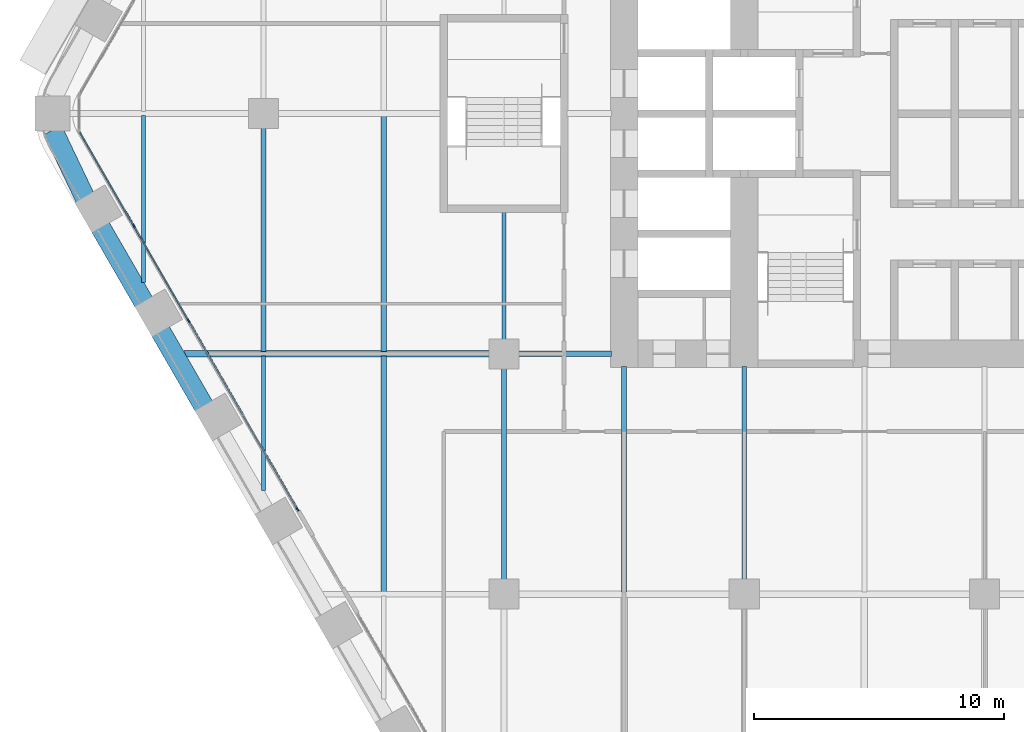
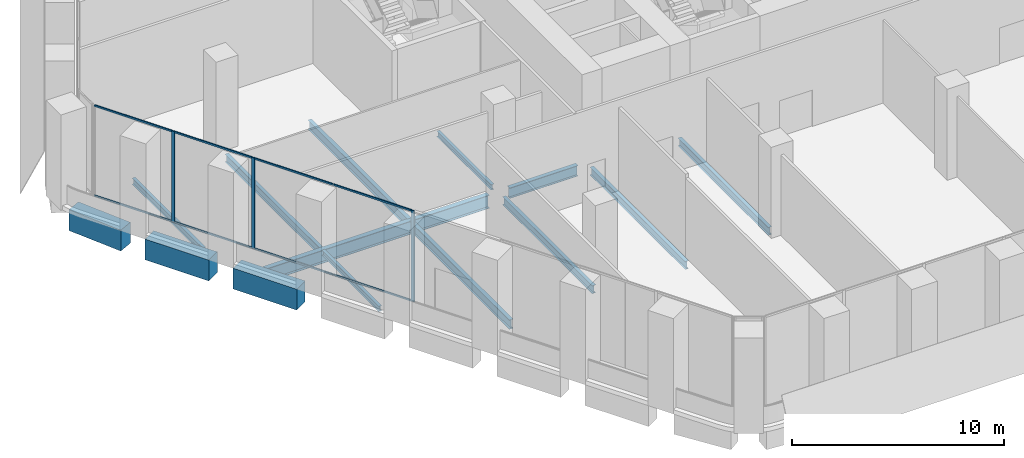
# One storey, part 3 of 27: 14 beams, 11 members, 1 element without a shape of its own.
"""IFC4 building model written with IfcOpenShell, lengths in metres."""

from ifc_helpers import new_model, si_unit, direction, frame, origin, origin_2d, place, context, subcontext, project, spatial, rectangle, i_section, extrude, material, material_profile, profile_set, type_object, element, aggregate, save


model = new_model("IFC4")

# Units and contexts
model_context = context("Model", 3, precision=1e-05, world=origin(), true_north=direction((0.0, 1.0)))
body_context = subcontext(model_context, "Body", "Model", "MODEL_VIEW")
ifc_project = project(units=[si_unit("LENGTHUNIT", "METRE"), si_unit("AREAUNIT", "SQUARE_METRE"), si_unit("VOLUMEUNIT", "CUBIC_METRE"), si_unit("PLANEANGLEUNIT", "RADIAN"), si_unit("MASSUNIT", "GRAM", prefix="KILO")], contexts=[model_context])

# Site, building, storey
site_placement = place(None, origin())
site = spatial("IfcSite", under=ifc_project, at=site_placement, CompositionType="ELEMENT")
building_placement = place(site_placement, origin())
building = spatial("IfcBuilding", under=site, at=building_placement, Name="Kolab Exchange Tower", CompositionType="ELEMENT")
storey_placement = place(building_placement, frame((0.0, 0.0, 22.39990234375)))
storey = spatial("IfcBuildingStorey", under=building, at=storey_placement, Name="L04", CompositionType="ELEMENT", Elevation=22.39990234375)

# Beams
ifc_material_1 = material(Name="Steel S355", Category="steel")
ifc_material_profile_1 = material_profile(ifc_material_1, i_section(OverallWidth=0.1650390625, OverallDepth=0.31005859375, WebThickness=0.005859375, FlangeThickness=0.009765625, at=origin_2d()), Name="W310X39")
ifc_profile_set_1 = profile_set([ifc_material_profile_1], Name="Steel S355")
beam_type_1 = type_object("IfcBeamType", Name="FLOOR BEAM W310X39", PredefinedType="BEAM", material=ifc_profile_set_1)
beam_1_placement = place(storey_placement, frame((-28.800048828125, -15.067626953125, -0.40478515625), z_axis=(0.0, 1.0, 0.0), x_axis=(-1.0, 0.0, 0.0)))
element("IfcBeam", 1, at=beam_1_placement, inside=storey, type_object=beam_type_1, Name="beam/L04/fr/002", PredefinedType="BEAM", context=body_context, shape_type="SweptSolid", body=[
    extrude(i_section(OverallWidth=0.1650390625, OverallDepth=0.31005859375, WebThickness=0.005859375, FlangeThickness=0.009765625, at=origin_2d()), origin(), (0.0, 0.0, 1.0), 5.3740234375),
])
beam_2_placement = place(storey_placement, frame((-19.199951171875, -9.0400390625, -0.40478515625), z_axis=(0.0, 1.0, 0.0), x_axis=(-1.0, 0.0, 0.0)))
element("IfcBeam", 2, at=beam_2_placement, inside=storey, type_object=beam_type_1, Name="beam/L04/fr/014", PredefinedType="BEAM", context=body_context, shape_type="SweptSolid", body=[
    extrude(i_section(OverallWidth=0.1650390625, OverallDepth=0.31005859375, WebThickness=0.005859375, FlangeThickness=0.009765625, at=origin_2d()), origin(), (0.0, 0.0, 1.0), 5.130126953125),
])
ifc_material_profile_2 = material_profile(ifc_material_1, i_section(OverallWidth=0.1708984375, OverallDepth=0.35498046875, WebThickness=0.007080078125, FlangeThickness=0.01171875, at=origin_2d()), Name="W360X51")
ifc_profile_set_2 = profile_set([ifc_material_profile_2], Name="Steel S355")
beam_type_2 = type_object("IfcBeamType", Name="FLOOR BEAM W360X51", PredefinedType="BEAM", material=ifc_profile_set_2)
beam_3_placement = place(storey_placement, frame((-33.60009765625, -6.75390625, -0.427490234375), z_axis=(0.0, 1.0, 0.0), x_axis=(-1.0, 0.0, 0.0)))
element("IfcBeam", 3, at=beam_3_placement, inside=storey, type_object=beam_type_2, Name="beam/L04/fr/000", PredefinedType="BEAM", context=body_context, shape_type="SweptSolid", body=[
    extrude(i_section(OverallWidth=0.1708984375, OverallDepth=0.35498046875, WebThickness=0.007080078125, FlangeThickness=0.01171875, at=origin_2d()), origin(), (0.0, 0.0, 1.0), 6.679931640625),
])
ifc_material_profile_3 = material_profile(ifc_material_1, i_section(OverallWidth=0.18994140625, OverallDepth=0.45703125, WebThickness=0.009033203125, FlangeThickness=0.014404296875, at=origin_2d()), Name="W460X74")
ifc_profile_set_3 = profile_set([ifc_material_profile_3], Name="Steel S355")
beam_type_3 = type_object("IfcBeamType", Name="FLOOR BEAM W460X74", PredefinedType="BEAM", material=ifc_profile_set_3)
beam_4_placement = place(storey_placement, frame((-28.800048828125, -9.506591796875, -0.478515625), z_axis=(0.0, 1.0, 0.0), x_axis=(-1.0, 0.0, 0.0)))
element("IfcBeam", 4, at=beam_4_placement, inside=storey, type_object=beam_type_3, Name="beam/L04/fr/003", PredefinedType="BEAM", context=body_context, shape_type="SweptSolid", body=[
    extrude(i_section(OverallWidth=0.18994140625, OverallDepth=0.45703125, WebThickness=0.009033203125, FlangeThickness=0.014404296875, at=origin_2d()), origin(), (0.0, 0.0, 1.0), 8.946533203125),
])
beam_5_placement = place(storey_placement, frame((-19.199951171875, -18.639892578125, -0.478515625), z_axis=(0.0, 1.0, 0.0), x_axis=(-1.0, 0.0, 0.0)))
element("IfcBeam", 5, at=beam_5_placement, inside=storey, type_object=beam_type_3, Name="beam/L04/fr/013", PredefinedType="BEAM", context=body_context, shape_type="SweptSolid", body=[
    extrude(i_section(OverallWidth=0.18994140625, OverallDepth=0.45703125, WebThickness=0.009033203125, FlangeThickness=0.014404296875, at=origin_2d()), origin(), (0.0, 0.0, 1.0), 8.47998046875),
])
beam_6_placement = place(storey_placement, frame((-14.39990234375, -19.113037109375, -0.478515625), z_axis=(0.0, 1.0, 0.0), x_axis=(-1.0, 0.0, 0.0)))
element("IfcBeam", 6, at=beam_6_placement, inside=storey, type_object=beam_type_3, Name="beam/L04/fr/019", PredefinedType="BEAM", context=body_context, shape_type="SweptSolid", body=[
    extrude(i_section(OverallWidth=0.18994140625, OverallDepth=0.45703125, WebThickness=0.009033203125, FlangeThickness=0.014404296875, at=origin_2d()), origin(), (0.0, 0.0, 1.0), 9.0029296875),
])
beam_7_placement = place(storey_placement, frame((-9.60009765625, -18.639892578125, -0.478515625), z_axis=(0.0, 1.0, 0.0), x_axis=(-1.0, 0.0, 0.0)))
element("IfcBeam", 7, at=beam_7_placement, inside=storey, type_object=beam_type_3, Name="beam/L04/fr/023", PredefinedType="BEAM", context=body_context, shape_type="SweptSolid", body=[
    extrude(i_section(OverallWidth=0.18994140625, OverallDepth=0.45703125, WebThickness=0.009033203125, FlangeThickness=0.014404296875, at=origin_2d()), origin(), (0.0, 0.0, 1.0), 8.52978515625),
])
ifc_material_profile_4 = material_profile(ifc_material_1, i_section(OverallWidth=0.208984375, OverallDepth=0.532958984375, WebThickness=0.01025390625, FlangeThickness=0.015625, at=origin_2d()), Name="W530X92")
ifc_profile_set_4 = profile_set([ifc_material_profile_4], Name="Steel S355")
beam_type_4 = type_object("IfcBeamType", Name="FLOOR BEAM W530X92", PredefinedType="BEAM", material=ifc_profile_set_4)
beam_8_placement = place(storey_placement, frame((-24.0, -19.1259765625, -0.516357421875), z_axis=(0.0, 1.0, 0.0), x_axis=(-1.0, 0.0, 0.0)))
element("IfcBeam", 8, at=beam_8_placement, inside=storey, type_object=beam_type_4, Name="beam/L04/fr/007", PredefinedType="BEAM", context=body_context, shape_type="SweptSolid", body=[
    extrude(i_section(OverallWidth=0.208984375, OverallDepth=0.532958984375, WebThickness=0.01025390625, FlangeThickness=0.015625, at=origin_2d()), origin(), (0.0, 0.0, 1.0), 9.432373046875),
])
beam_9_placement = place(storey_placement, frame((-24.0, -9.506591796875, -0.516357421875), z_axis=(0.0, 1.0, 0.0), x_axis=(-1.0, 0.0, 0.0)))
element("IfcBeam", 9, at=beam_9_placement, inside=storey, type_object=beam_type_4, Name="beam/L04/fr/008", PredefinedType="BEAM", context=body_context, shape_type="SweptSolid", body=[
    extrude(i_section(OverallWidth=0.208984375, OverallDepth=0.532958984375, WebThickness=0.01025390625, FlangeThickness=0.015625, at=origin_2d()), origin(), (0.0, 0.0, 1.0), 9.4326171875),
])
ifc_material_profile_5 = material_profile(ifc_material_1, i_section(OverallWidth=0.22802734375, OverallDepth=0.60791015625, WebThickness=0.01123046875, FlangeThickness=0.017333984375, at=origin_2d()), Name="W610X113")
ifc_profile_set_5 = profile_set([ifc_material_profile_5], Name="Steel S355")
beam_type_5 = type_object("IfcBeamType", Name="FLOOR GIRDER W610X113", PredefinedType="BEAM", material=ifc_profile_set_5)
beam_10_placement = place(storey_placement, frame((-18.639892578125, -9.60009765625, -0.553955078125), z_axis=(1.0, 0.0, 0.0), x_axis=(0.0, 1.0, 0.0)))
element("IfcBeam", 10, at=beam_10_placement, inside=storey, type_object=beam_type_5, Name="beam/L04/gd/007", PredefinedType="BEAM", context=body_context, shape_type="SweptSolid", body=[
    extrude(i_section(OverallWidth=0.22802734375, OverallDepth=0.60791015625, WebThickness=0.01123046875, FlangeThickness=0.017333984375, at=origin_2d()), origin(), (0.0, 0.0, 1.0), 3.72998046875),
])
ifc_material_profile_6 = material_profile(ifc_material_1, i_section(OverallWidth=0.26708984375, OverallDepth=0.761962890625, WebThickness=0.014404296875, FlangeThickness=0.021484375, at=origin_2d()), Name="W760X173")
ifc_profile_set_6 = profile_set([ifc_material_profile_6], Name="Steel S355")
beam_type_6 = type_object("IfcBeamType", Name="FLOOR GIRDER W760X173", PredefinedType="BEAM", material=ifc_profile_set_6)
beam_11_placement = place(storey_placement, frame((-31.9736328125, -9.60009765625, -0.630859375), z_axis=(1.0, 0.0, 0.0), x_axis=(0.0, 1.0, 0.0)))
element("IfcBeam", 11, at=beam_11_placement, inside=storey, type_object=beam_type_6, Name="beam/L04/gd/001", PredefinedType="BEAM", context=body_context, shape_type="SweptSolid", body=[
    extrude(i_section(OverallWidth=0.26708984375, OverallDepth=0.761962890625, WebThickness=0.014404296875, FlangeThickness=0.021484375, at=origin_2d()), origin(), (0.0, 0.0, 1.0), 12.213623046875),
])
ifc_material_2 = material(Name="Concrete C80/95", Category="concrete")
ifc_material_profile_7 = material_profile(ifc_material_2, rectangle(XDim=0.800048828125, YDim=1.199951171875, at=origin_2d()), Name="RC800X1200")
ifc_profile_set_7 = profile_set([ifc_material_profile_7], Name="Concrete C80/95")
beam_type_7 = type_object("IfcBeamType", Name="SPANDREL BEAM 800X1200 C80/95", PredefinedType="BEAM", material=ifc_profile_set_7)
beam_12_placement = place(storey_placement, frame((-31.18359375, -11.69921875, -0.849853515625), z_axis=(-0.499979528911, 0.866037222451, 0.0), x_axis=(-0.866037222451, -0.499979528911, 0.0)))
element("IfcBeam", 12, at=beam_12_placement, inside=storey, type_object=beam_type_7, Name="beam/L04/sp/F5-06", PredefinedType="BEAM", context=body_context, shape_type="SweptSolid", body=[
    extrude(rectangle(XDim=0.800048828125, YDim=1.199951171875, at=origin_2d()), origin(), (0.0, 0.0, 1.0), 3.480224609375),
])
beam_13_placement = place(storey_placement, frame((-33.58349609375, -7.542236328125, -0.849853515625), z_axis=(-0.500009906705, 0.86601968407, 0.0), x_axis=(-0.86601968407, -0.500009906705, 0.0)))
element("IfcBeam", 13, at=beam_13_placement, inside=storey, type_object=beam_type_7, Name="beam/L04/sp/F5-07", PredefinedType="BEAM", context=body_context, shape_type="SweptSolid", body=[
    extrude(rectangle(XDim=0.800048828125, YDim=1.199951171875, at=origin_2d()), origin(), (0.0, 0.0, 1.0), 3.47998046875),
])
beam_14_placement = place(storey_placement, frame((-35.93798828125, -3.35888671875, -0.849853515625), z_axis=(-0.429555669245, 0.903040379507, 0.0), x_axis=(-0.903040379507, -0.429555669245, 0.0)))
element("IfcBeam", 14, at=beam_14_placement, inside=storey, type_object=beam_type_7, Name="beam/L04/sp/F5-08", PredefinedType="BEAM", context=body_context, shape_type="SweptSolid", body=[
    extrude(rectangle(XDim=0.800048828125, YDim=1.199951171875, at=origin_2d()), origin(), (0.0, 0.0, 1.0), 2.984375),
])

# Curtain wall, members
ifc_material_3 = material(Name="Aluminium EN AW-6063 T6", Category="aluminium")
curtain_wall_type = type_object("IfcCurtainWallType", Name="UNITISED LOW ZONE CURTAIN WALL", PredefinedType="NOTDEFINED", material=ifc_material_3)
curtain_wall_placement = place(storey_placement, origin())
curtain_wall = element("IfcCurtainWall", 15, at=curtain_wall_placement, inside=storey, type_object=curtain_wall_type, Name="cw/L04/F5-2", PredefinedType="NOTDEFINED")
ifc_material_profile_8 = material_profile(ifc_material_3, rectangle(XDim=0.06005859375, YDim=0.159912109375, at=origin_2d()), Name="RECT 60X160")
ifc_profile_set_8 = profile_set([ifc_material_profile_8], Name="Aluminium EN AW-6063 T6")
member_type_1 = type_object("IfcMemberType", Name="UNITISED LOW ZONE MULLION 60 X 160", PredefinedType="MULLION", material=ifc_profile_set_8)
member_1_placement = place(storey_placement, frame((-27.44677734375, -15.811767578125, 0.0), z_axis=(0.0, 0.0, 1.0), x_axis=(-0.866025422102, -0.499999968274, 0.0)))
member_1 = element("IfcMember", 16, at=member_1_placement, type_object=member_type_1, Name="CW1 mullion 1", PredefinedType="MULLION", context=body_context, shape_type="SweptSolid", body=[
    extrude(rectangle(XDim=0.06005859375, YDim=0.159912109375, at=origin_2d()), origin(), (0.0, 0.0, 1.0), 5.25),
])
member_2_placement = place(storey_placement, frame((-31.798583984375, -8.27392578125, 0.0), z_axis=(0.0, 0.0, 1.0), x_axis=(-0.866025422102, -0.499999968274, 0.0)))
member_2 = element("IfcMember", 17, at=member_2_placement, type_object=member_type_1, Name="CW1 mullion 3", PredefinedType="MULLION", context=body_context, shape_type="SweptSolid", body=[
    extrude(rectangle(XDim=0.06005859375, YDim=0.159912109375, at=origin_2d()), origin(), (0.0, 0.0, 1.0), 5.25),
])
member_3_placement = place(storey_placement, frame((-33.982177734375, -4.491943359375, 0.0), z_axis=(0.0, 0.0, 1.0), x_axis=(-0.866025422102, -0.499999968274, 0.0)))
member_3 = element("IfcMember", 18, at=member_3_placement, type_object=member_type_1, Name="CW1 mullion 4", PredefinedType="MULLION", context=body_context, shape_type="SweptSolid", body=[
    extrude(rectangle(XDim=0.06005859375, YDim=0.159912109375, at=origin_2d()), origin(), (0.0, 0.0, 1.0), 5.25),
])
ifc_material_profile_9 = material_profile(ifc_material_3, rectangle(XDim=0.06005859375, YDim=0.10009765625, at=origin_2d()), Name="RECT 60X100")
ifc_profile_set_9 = profile_set([ifc_material_profile_9], Name="Aluminium EN AW-6063 T6")
member_type_2 = type_object("IfcMemberType", Name="UNITISED LOW ZONE TRANSOM 60 X 100", PredefinedType="USERDEFINED", material=ifc_profile_set_9)
member_4_placement = place(storey_placement, frame((-27.461669921875, -15.78564453125, 0.030029296875), z_axis=(-0.500000816281, 0.866024932504, 0.0), x_axis=(-0.866024932504, -0.500000816281, 0.0)))
member_4 = element("IfcMember", 19, at=member_4_placement, type_object=member_type_2, Name="CW1 transom 1.1", ObjectType="TRANSOM", PredefinedType="USERDEFINED", context=body_context, shape_type="SweptSolid", body=[
    extrude(rectangle(XDim=0.06005859375, YDim=0.10009765625, at=origin_2d()), origin(), (0.0, 0.0, 1.0), 4.27685546875),
])
member_5_placement = place(storey_placement, frame((-27.461669921875, -15.78564453125, 5.22021484375), z_axis=(-0.500000816281, 0.866024932504, 0.0), x_axis=(-0.866024932504, -0.500000816281, 0.0)))
member_5 = element("IfcMember", 20, at=member_5_placement, type_object=member_type_2, Name="CW1 transom 1.2", ObjectType="TRANSOM", PredefinedType="USERDEFINED", context=body_context, shape_type="SweptSolid", body=[
    extrude(rectangle(XDim=0.06005859375, YDim=0.10009765625, at=origin_2d()), origin(), (0.0, 0.0, 1.0), 4.27685546875),
])
member_6_placement = place(storey_placement, frame((-29.630126953125, -12.02978515625, 0.030029296875), z_axis=(-0.500010313095, 0.866019449435, 0.0), x_axis=(-0.866019449435, -0.500010313095, 0.0)))
member_6 = element("IfcMember", 21, at=member_6_placement, type_object=member_type_2, Name="CW1 transom 2.1", ObjectType="TRANSOM", PredefinedType="USERDEFINED", context=body_context, shape_type="SweptSolid", body=[
    extrude(rectangle(XDim=0.06005859375, YDim=0.10009765625, at=origin_2d()), origin(), (0.0, 0.0, 1.0), 4.30712890625),
])
member_7_placement = place(storey_placement, frame((-29.630126953125, -12.02978515625, 5.22021484375), z_axis=(-0.500010313095, 0.866019449435, 0.0), x_axis=(-0.866019449435, -0.500010313095, 0.0)))
member_7 = element("IfcMember", 22, at=member_7_placement, type_object=member_type_2, Name="CW1 transom 2.2", ObjectType="TRANSOM", PredefinedType="USERDEFINED", context=body_context, shape_type="SweptSolid", body=[
    extrude(rectangle(XDim=0.06005859375, YDim=0.10009765625, at=origin_2d()), origin(), (0.0, 0.0, 1.0), 4.30712890625),
])
member_8_placement = place(storey_placement, frame((-31.813720703125, -8.247802734375, 0.030029296875), z_axis=(-0.499967798808, 0.866043994353, 0.0), x_axis=(-0.866043994353, -0.499967798808, 0.0)))
member_8 = element("IfcMember", 23, at=member_8_placement, type_object=member_type_2, Name="CW1 transom 3.1", ObjectType="TRANSOM", PredefinedType="USERDEFINED", context=body_context, shape_type="SweptSolid", body=[
    extrude(rectangle(XDim=0.06005859375, YDim=0.10009765625, at=origin_2d()), origin(), (0.0, 0.0, 1.0), 4.306884765625),
])
member_9_placement = place(storey_placement, frame((-31.813720703125, -8.247802734375, 5.22021484375), z_axis=(-0.499967798808, 0.866043994353, 0.0), x_axis=(-0.866043994353, -0.499967798808, 0.0)))
member_9 = element("IfcMember", 24, at=member_9_placement, type_object=member_type_2, Name="CW1 transom 3.2", ObjectType="TRANSOM", PredefinedType="USERDEFINED", context=body_context, shape_type="SweptSolid", body=[
    extrude(rectangle(XDim=0.06005859375, YDim=0.10009765625, at=origin_2d()), origin(), (0.0, 0.0, 1.0), 4.306884765625),
])
member_10_placement = place(storey_placement, frame((-33.9970703125, -4.4658203125, 0.030029296875), z_axis=(-0.500043627578, 0.866000213925, 0.0), x_axis=(-0.866000213925, -0.500043627578, 0.0)))
member_10 = element("IfcMember", 25, at=member_10_placement, type_object=member_type_2, Name="CW1 transom 4.1", ObjectType="TRANSOM", PredefinedType="USERDEFINED", context=body_context, shape_type="SweptSolid", body=[
    extrude(rectangle(XDim=0.06005859375, YDim=0.10009765625, at=origin_2d()), origin(), (0.0, 0.0, 1.0), 4.27685546875),
])
member_11_placement = place(storey_placement, frame((-33.9970703125, -4.4658203125, 5.22021484375), z_axis=(-0.500043627578, 0.866000213925, 0.0), x_axis=(-0.866000213925, -0.500043627578, 0.0)))
member_11 = element("IfcMember", 26, at=member_11_placement, type_object=member_type_2, Name="CW1 transom 4.2", ObjectType="TRANSOM", PredefinedType="USERDEFINED", context=body_context, shape_type="SweptSolid", body=[
    extrude(rectangle(XDim=0.06005859375, YDim=0.10009765625, at=origin_2d()), origin(), (0.0, 0.0, 1.0), 4.27685546875),
])
aggregate(curtain_wall, [member_1, member_2, member_3, member_4, member_5, member_6, member_7, member_8, member_9, member_10, member_11])

save(model, "model.ifc")
